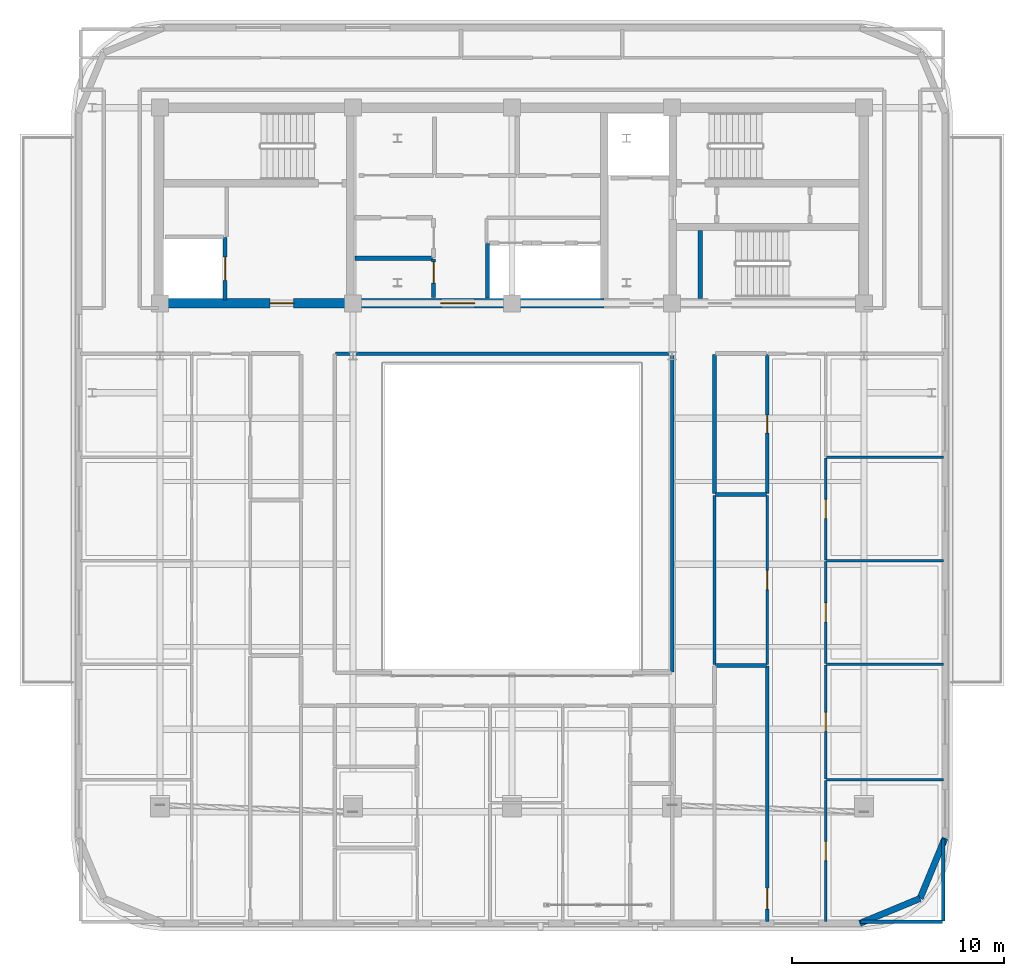
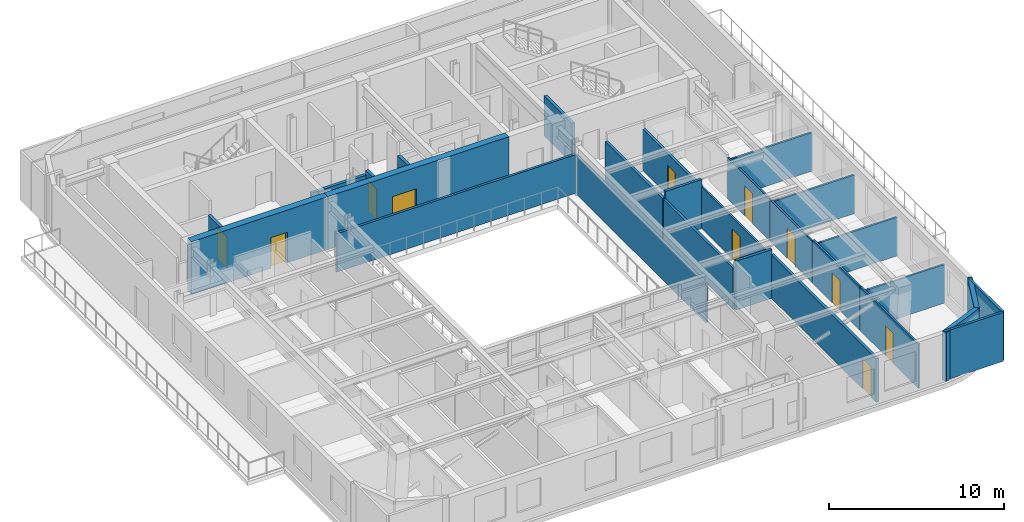
# One storey, part 8 of 14: 28 walls, 11 doors, 11 openings.
"""IFC4 building model written with IfcOpenShell, lengths in metres."""

from ifc_helpers import new_model, si_unit, direction, frame, frame_2d, origin, place, context, subcontext, project, spatial, rectangle, extrude, material, layer, layer_set, type_object, element, fill, save


model = new_model("IFC4")

# Units and contexts
model_context = context("Model", 3, precision=1e-05, world=origin(), true_north=direction((0.0, 1.0)))
body_context = subcontext(model_context, "Body", "Model", "MODEL_VIEW")
ifc_project = project(units=[si_unit("LENGTHUNIT", "METRE"), si_unit("AREAUNIT", "SQUARE_METRE"), si_unit("VOLUMEUNIT", "CUBIC_METRE"), si_unit("PLANEANGLEUNIT", "RADIAN"), si_unit("MASSUNIT", "GRAM", prefix="KILO")], contexts=[model_context])

# Site, building, storey
site_placement = place(None, origin())
site = spatial("IfcSite", under=ifc_project, at=site_placement, CompositionType="ELEMENT")
building_placement = place(site_placement, origin())
building = spatial("IfcBuilding", under=site, at=building_placement, Name="Zarnavel Station Tower", CompositionType="ELEMENT")
storey_placement = place(building_placement, frame((0.0, 0.0, 243.60009765625)))
storey = spatial("IfcBuildingStorey", under=building, at=storey_placement, Name="L66", CompositionType="ELEMENT", Elevation=243.60009765625)

# Wall, opening, door
ifc_material_1 = material(Name="Concrete C50/60", Category="concrete")
ifc_layer_1 = layer(ifc_material_1, 0.449951171875)
ifc_layer_set_1 = layer_set([ifc_layer_1], Name="CW_450")
wall_type_1 = type_object("IfcWallType", Name="CW_450", PredefinedType="SHEAR", material=ifc_layer_set_1)
wall_1_placement = place(storey_placement, frame((21.179931640625, 27.820068359375, 0.0), z_axis=(0.0, 0.0, 1.0), x_axis=(-1.0, 0.0, 0.0)))
wall_1 = element("IfcWall", 1, at=wall_1_placement, inside=storey, type_object=wall_type_1, Name="L66 Rear Core Shear Wall S-W", PredefinedType="SHEAR", context=body_context, shape_type="SweptSolid", body=[
    extrude(rectangle(XDim=9.030029296875, YDim=0.449951171875, at=frame_2d((4.51513671875, 0.0))), origin(), (0.0, 0.0, 1.0), 3.699951171875),
])
opening_1_placement = place(wall_1_placement, frame((2.679931640625, 0.0, 0.0)))
opening_1 = element("IfcOpeningElement", 2, at=opening_1_placement, cuts=wall_1, Name="Opening FD01", PredefinedType="OPENING", context=body_context, shape_type="SweptSolid", body=[
    extrude(rectangle(XDim=1.10009765625, YDim=2.14990234375, at=frame_2d((0.550048828125, 1.074951171875))), frame((0.0, 0.23486328125, 0.0), z_axis=(0.0, -1.0, 0.0), x_axis=(1.0, 0.0, 0.0)), (0.0, 0.0, 1.0), 0.469970703125),
])
ifc_material_2 = material(Name="Painted Galvanised Steel and Hardwood Leaf", Category="steel")
door_type_1 = type_object("IfcDoorType", Name="ID_STAIR_1100", OperationType="NOTDEFINED", PredefinedType="DOOR", material=ifc_material_2)
door_1_placement = place(opening_1_placement, origin())
door_1 = element("IfcDoor", 3, at=door_1_placement, inside=storey, type_object=door_type_1, Name="L66 West Firefighting Lobby Door", OperationType="SINGLE_SWING_RIGHT", OverallHeight=2.14990234375, OverallWidth=1.10009765625, PredefinedType="DOOR", context=body_context, shape_type="SweptSolid", body=[
    extrude(rectangle(XDim=1.10009765625, YDim=2.14990234375, at=frame_2d((0.550048828125, 1.074951171875))), frame((0.0, 0.02490234375, 0.0), z_axis=(0.0, -1.0, 0.0), x_axis=(1.0, 0.0, 0.0)), (0.0, 0.0, 1.0), 0.050048828125),
])
fill(opening_1, door_1)

wall_2_placement = place(storey_placement, frame((33.14990234375, 27.820068359375, 0.0), z_axis=(0.0, 0.0, 1.0), x_axis=(-1.0, 0.0, 0.0)))
wall_2 = element("IfcWall", 4, at=wall_2_placement, inside=storey, type_object=wall_type_1, Name="L66 Rear Core Shear Wall S-M", PredefinedType="SHEAR", context=body_context, shape_type="SweptSolid", body=[
    extrude(rectangle(XDim=11.969970703125, YDim=0.449951171875, at=frame_2d((5.98486328125, 0.0))), origin(), (0.0, 0.0, 1.0), 3.699951171875),
])
opening_2_placement = place(wall_2_placement, frame((6.10009765625, 0.0, 0.0)))
opening_2 = element("IfcOpeningElement", 5, at=opening_2_placement, cuts=wall_2, Name="Opening ID03", PredefinedType="OPENING", context=body_context, shape_type="SweptSolid", body=[
    extrude(rectangle(XDim=1.60009765625, YDim=2.199951171875, at=frame_2d((0.800048828125, 1.10009765625))), frame((0.0, 0.23486328125, 0.0), z_axis=(0.0, -1.0, 0.0), x_axis=(1.0, 0.0, 0.0)), (0.0, 0.0, 1.0), 0.469970703125),
])
ifc_material_3 = material(Name="Painted Galvanised Steel and Hardwood Leaf", Category="steel")
door_type_2 = type_object("IfcDoorType", Name="ID_PUBLIC_1600", OperationType="DOUBLE_DOOR_SINGLE_SWING", PredefinedType="DOOR", material=ifc_material_3)
door_2_placement = place(opening_2_placement, origin())
door_2 = element("IfcDoor", 6, at=door_2_placement, inside=storey, type_object=door_type_2, Name="L66 Passenger Lift Lobby Double Door", OperationType="SINGLE_SWING_LEFT", OverallHeight=2.199951171875, OverallWidth=1.60009765625, PredefinedType="DOOR", context=body_context, shape_type="SweptSolid", body=[
    extrude(rectangle(XDim=1.60009765625, YDim=2.199951171875, at=frame_2d((0.800048828125, 1.10009765625))), frame((0.0, 0.02490234375, 0.0), z_axis=(0.0, -1.0, 0.0), x_axis=(1.0, 0.0, 0.0)), (0.0, 0.0, 1.0), 0.050048828125),
])
fill(opening_2, door_2)

# Walls
ifc_material_4 = material(Name="Precast concrete C45/55 (Dark Basalt Finish)", Category="masonry")
ifc_layer_2 = layer(ifc_material_4, 0.300048828125)
ifc_layer_set_2 = layer_set([ifc_layer_2], Name="EW_BASALT_300")
wall_type_2 = type_object("IfcWallType", Name="EW_BASALT_300", PredefinedType="SOLIDWALL", material=ifc_layer_set_2)
wall_3_placement = place(storey_placement, frame((48.04248046875, -0.24267578125, 0.0), z_axis=(0.0, 0.0, 1.0), x_axis=(-0.92389884758, -0.382636798336, 0.0)))
element("IfcWall", 7, at=wall_3_placement, inside=storey, type_object=wall_type_2, Name="L66 Exterior Basalt Masonry Frame Wall 01", PredefinedType="SOLIDWALL", context=body_context, shape_type="SweptSolid", body=[
    extrude(rectangle(XDim=3.07666015625, YDim=0.300048828125, at=frame_2d((1.538330078125, 0.0))), origin(), (0.0, 0.0, 1.0), 3.419921875),
])
wall_4_placement = place(storey_placement, frame((49.219970703125, 2.60009765625, 0.0), z_axis=(0.0, 0.0, 1.0), x_axis=(-0.382676475685, -0.923882414032, 0.0)))
element("IfcWall", 8, at=wall_4_placement, inside=storey, type_object=wall_type_2, Name="L66 Exterior Basalt Masonry Frame Wall 02", PredefinedType="SOLIDWALL", context=body_context, shape_type="SweptSolid", body=[
    extrude(rectangle(XDim=3.076904296875, YDim=0.300048828125, at=frame_2d((1.53857421875, 0.0))), origin(), (0.0, 0.0, 1.0), 3.419921875),
])
ifc_material_5 = material(Name="Gypsum Twin-Stud Acoustic Fire Partition", Category="concrete")
ifc_layer_3 = layer(ifc_material_5, 0.159912109375)
ifc_layer_set_3 = layer_set([ifc_layer_3], Name="PT_DEMISE_160")
wall_type_3 = type_object("IfcWallType", Name="PT_DEMISE_160", PredefinedType="PARTITIONING", material=ifc_layer_set_3)
wall_5_placement = place(storey_placement, frame((38.35009765625, 10.787109375, 0.0), z_axis=(0.0, 0.0, 1.0), x_axis=(0.0, 1.0, 0.0)))
element("IfcWall", 9, at=wall_5_placement, inside=storey, type_object=wall_type_3, Name="L66 Partition COR-AE-UE1UT", PredefinedType="PARTITIONING", context=body_context, shape_type="SweptSolid", body=[
    extrude(rectangle(XDim=7.974853515625, YDim=0.159912109375, at=frame_2d((3.9873046875, 0.0))), origin(), (0.0, 0.0, 1.0), 2.89990234375),
])
wall_6_placement = place(storey_placement, frame((20.47998046875, 25.449951171875, 0.0), z_axis=(0.0, 0.0, 1.0), x_axis=(1.0, 0.0, 0.0)))
element("IfcWall", 10, at=wall_6_placement, inside=storey, type_object=wall_type_3, Name="L66 Enclosure Wall COR-S", PredefinedType="PARTITIONING", context=body_context, shape_type="SweptSolid", body=[
    extrude(rectangle(XDim=15.840087890625, YDim=0.159912109375, at=frame_2d((7.919921875, 0.0))), origin(), (0.0, 0.0, 1.0), 2.699951171875),
])
wall_7_placement = place(storey_placement, frame((36.35009765625, 10.429931640625, 0.0), z_axis=(0.0, 0.0, 1.0), x_axis=(0.0, 1.0, 0.0)))
element("IfcWall", 11, at=wall_7_placement, inside=storey, type_object=wall_type_3, Name="L66 Enclosure Wall COR-AE", PredefinedType="PARTITIONING", context=body_context, shape_type="SweptSolid", body=[
    extrude(rectangle(XDim=14.989990234375, YDim=0.159912109375, at=frame_2d((7.4951171875, 0.0))), origin(), (0.0, 0.0, 1.0), 2.699951171875),
])
for number, where, z_axis, x_axis, name in (
    (12, (45.22998046875, -1.340087890625, 0.0), (0.0, 0.0, 1.0), (1.0, 0.0, 0.0), "L66 Enclosure Wall UE1B1"),
    (13, (49.139892578125, -1.31005859375, 0.0), (0.0, 0.0, 1.0), (0.0, 1.0, 0.0), "L66 Enclosure Wall UE1B1"),
):
    element("IfcWall", number, at=place(storey_placement, frame(where, z_axis=z_axis, x_axis=x_axis)), inside=storey, type_object=wall_type_3, Name=name, PredefinedType="PARTITIONING", context=body_context, shape_type="SweptSolid", body=[
        extrude(rectangle(XDim=3.880126953125, YDim=0.159912109375, at=frame_2d((1.93994140625, 0.0))), origin(), (0.0, 0.0, 1.0), 3.419921875),
    ])

# Wall, opening, door
ifc_material_6 = material(Name="Gypsum Metal-Stud Interior Partition", Category="concrete")
ifc_layer_4 = layer(ifc_material_6, 0.1201171875)
ifc_layer_set_4 = layer_set([ifc_layer_4], Name="PT_ROOM_120")
wall_type_4 = type_object("IfcWallType", Name="PT_ROOM_120", PredefinedType="PARTITIONING", material=ifc_layer_set_4)
wall_8_placement = place(storey_placement, frame((40.83203125, 10.787109375, 0.0), z_axis=(0.0, 0.0, 1.0), x_axis=(0.0, 1.0, 0.0)))
wall_8 = element("IfcWall", 14, at=wall_8_placement, inside=storey, type_object=wall_type_4, Name="L66 Partition UE1LV-UE1UT", PredefinedType="PARTITIONING", context=body_context, shape_type="SweptSolid", body=[
    extrude(rectangle(XDim=7.974853515625, YDim=0.1201171875, at=frame_2d((3.9873046875, 0.0))), origin(), (0.0, 0.0, 1.0), 2.89990234375),
])
opening_3_placement = place(wall_8_placement, frame((3.53759765625, 0.0, 0.0)))
opening_3 = element("IfcOpeningElement", 15, at=opening_3_placement, cuts=wall_8, Name="Opening ID01", PredefinedType="OPENING", context=body_context, shape_type="SweptSolid", body=[
    extrude(rectangle(XDim=0.89990234375, YDim=2.10009765625, at=frame_2d((0.449951171875, 1.050048828125))), frame((0.0, 0.070068359375, 0.0), z_axis=(0.0, -1.0, 0.0), x_axis=(1.0, 0.0, 0.0)), (0.0, 0.0, 1.0), 0.14013671875),
])
ifc_material_7 = material(Name="Painted Galvanised Steel and Hardwood Leaf", Category="steel")
door_type_3 = type_object("IfcDoorType", Name="ID_ROOM_900", OperationType="NOTDEFINED", PredefinedType="DOOR", material=ifc_material_7)
door_3_placement = place(opening_3_placement, origin())
door_3 = element("IfcDoor", 16, at=door_3_placement, inside=storey, type_object=door_type_3, Name="L66 Door UE1LV-UE1UT", OperationType="SINGLE_SWING_RIGHT", OverallHeight=2.10009765625, OverallWidth=0.89990234375, PredefinedType="DOOR", context=body_context, shape_type="SweptSolid", body=[
    extrude(rectangle(XDim=0.89990234375, YDim=2.10009765625, at=frame_2d((0.449951171875, 1.050048828125))), frame((0.0, 0.02490234375, 0.0), z_axis=(0.0, -1.0, 0.0), x_axis=(1.0, 0.0, 0.0)), (0.0, 0.0, 1.0), 0.050048828125),
])
fill(opening_3, door_3)

wall_9_placement = place(storey_placement, frame((43.593994140625, -1.340087890625, 0.0), z_axis=(0.0, 0.0, 1.0), x_axis=(0.0, 1.0, 0.0)))
wall_9 = element("IfcWall", 17, at=wall_9_placement, inside=storey, type_object=wall_type_4, Name="L66 Partition UE1LV-UE1B1", PredefinedType="PARTITIONING", context=body_context, shape_type="SweptSolid", body=[
    extrude(rectangle(XDim=6.656982421875, YDim=0.1201171875, at=frame_2d((3.32861328125, 0.0))), origin(), (0.0, 0.0, 1.0), 3.079833984375),
])
opening_4_placement = place(wall_9_placement, frame((2.87841796875, 0.0, 0.0)))
opening_4 = element("IfcOpeningElement", 18, at=opening_4_placement, cuts=wall_9, Name="Opening ID01", PredefinedType="OPENING", context=body_context, shape_type="SweptSolid", body=[
    extrude(rectangle(XDim=0.89990234375, YDim=2.10009765625, at=frame_2d((0.449951171875, 1.050048828125))), frame((0.0, 0.070068359375, 0.0), z_axis=(0.0, -1.0, 0.0), x_axis=(1.0, 0.0, 0.0)), (0.0, 0.0, 1.0), 0.14013671875),
])
door_4_placement = place(opening_4_placement, origin())
door_4 = element("IfcDoor", 19, at=door_4_placement, inside=storey, type_object=door_type_3, Name="L66 Door UE1LV-UE1B1", OperationType="SINGLE_SWING_RIGHT", OverallHeight=2.10009765625, OverallWidth=0.89990234375, PredefinedType="DOOR", context=body_context, shape_type="SweptSolid", body=[
    extrude(rectangle(XDim=0.89990234375, YDim=2.10009765625, at=frame_2d((0.449951171875, 1.050048828125))), frame((0.0, 0.02490234375, 0.0), z_axis=(0.0, -1.0, 0.0), x_axis=(1.0, 0.0, 0.0)), (0.0, 0.0, 1.0), 0.050048828125),
])
fill(opening_4, door_4)

wall_10_placement = place(storey_placement, frame((43.593994140625, 5.39697265625, 0.0), z_axis=(0.0, 0.0, 1.0), x_axis=(0.0, 1.0, 0.0)))
wall_10 = element("IfcWall", 20, at=wall_10_placement, inside=storey, type_object=wall_type_4, Name="L66 Partition UE1LV-UE1B2", PredefinedType="PARTITIONING", context=body_context, shape_type="SweptSolid", body=[
    extrude(rectangle(XDim=5.369140625, YDim=0.1201171875, at=frame_2d((2.6845703125, 0.0))), origin(), (0.0, 0.0, 1.0), 3.0498046875),
])
opening_5_placement = place(wall_10_placement, frame((2.234619140625, 0.0, 0.0)))
opening_5 = element("IfcOpeningElement", 21, at=opening_5_placement, cuts=wall_10, Name="Opening ID01", PredefinedType="OPENING", context=body_context, shape_type="SweptSolid", body=[
    extrude(rectangle(XDim=0.89990234375, YDim=2.10009765625, at=frame_2d((0.449951171875, 1.050048828125))), frame((0.0, 0.070068359375, 0.0), z_axis=(0.0, -1.0, 0.0), x_axis=(1.0, 0.0, 0.0)), (0.0, 0.0, 1.0), 0.14013671875),
])
door_5_placement = place(opening_5_placement, origin())
door_5 = element("IfcDoor", 22, at=door_5_placement, inside=storey, type_object=door_type_3, Name="L66 Door UE1LV-UE1B2", OperationType="SINGLE_SWING_LEFT", OverallHeight=2.10009765625, OverallWidth=0.89990234375, PredefinedType="DOOR", context=body_context, shape_type="SweptSolid", body=[
    extrude(rectangle(XDim=0.89990234375, YDim=2.10009765625, at=frame_2d((0.449951171875, 1.050048828125))), frame((0.0, 0.02490234375, 0.0), z_axis=(0.0, -1.0, 0.0), x_axis=(1.0, 0.0, 0.0)), (0.0, 0.0, 1.0), 0.050048828125),
])
fill(opening_5, door_5)

wall_11_placement = place(storey_placement, frame((43.593994140625, 10.845947265625, 0.0), z_axis=(0.0, 0.0, 1.0), x_axis=(0.0, 1.0, 0.0)))
wall_11 = element("IfcWall", 23, at=wall_11_placement, inside=storey, type_object=wall_type_4, Name="L66 Partition UE1LV-UE1B3", PredefinedType="PARTITIONING", context=body_context, shape_type="SweptSolid", body=[
    extrude(rectangle(XDim=4.801025390625, YDim=0.1201171875, at=frame_2d((2.400390625, 0.0))), origin(), (0.0, 0.0, 1.0), 2.89990234375),
])
opening_6_placement = place(wall_11_placement, frame((1.950439453125, 0.0, 0.0)))
opening_6 = element("IfcOpeningElement", 24, at=opening_6_placement, cuts=wall_11, Name="Opening ID01", PredefinedType="OPENING", context=body_context, shape_type="SweptSolid", body=[
    extrude(rectangle(XDim=0.89990234375, YDim=2.10009765625, at=frame_2d((0.449951171875, 1.050048828125))), frame((0.0, 0.070068359375, 0.0), z_axis=(0.0, -1.0, 0.0), x_axis=(1.0, 0.0, 0.0)), (0.0, 0.0, 1.0), 0.14013671875),
])
door_6_placement = place(opening_6_placement, origin())
door_6 = element("IfcDoor", 25, at=door_6_placement, inside=storey, type_object=door_type_3, Name="L66 Door UE1LV-UE1B3", OperationType="SINGLE_SWING_RIGHT", OverallHeight=2.10009765625, OverallWidth=0.89990234375, PredefinedType="DOOR", context=body_context, shape_type="SweptSolid", body=[
    extrude(rectangle(XDim=0.89990234375, YDim=2.10009765625, at=frame_2d((0.449951171875, 1.050048828125))), frame((0.0, 0.02490234375, 0.0), z_axis=(0.0, -1.0, 0.0), x_axis=(1.0, 0.0, 0.0)), (0.0, 0.0, 1.0), 0.050048828125),
])
fill(opening_6, door_6)

wall_12_placement = place(storey_placement, frame((43.593994140625, 15.72705078125, 0.0), z_axis=(0.0, 0.0, 1.0), x_axis=(0.0, 1.0, 0.0)))
wall_12 = element("IfcWall", 26, at=wall_12_placement, inside=storey, type_object=wall_type_4, Name="L66 Partition UE1LV-UE1B4", PredefinedType="PARTITIONING", context=body_context, shape_type="SweptSolid", body=[
    extrude(rectangle(XDim=4.801025390625, YDim=0.1201171875, at=frame_2d((2.400390625, 0.0))), origin(), (0.0, 0.0, 1.0), 2.89990234375),
])
opening_7_placement = place(wall_12_placement, frame((1.950439453125, 0.0, 0.0)))
opening_7 = element("IfcOpeningElement", 27, at=opening_7_placement, cuts=wall_12, Name="Opening ID01", PredefinedType="OPENING", context=body_context, shape_type="SweptSolid", body=[
    extrude(rectangle(XDim=0.89990234375, YDim=2.10009765625, at=frame_2d((0.449951171875, 1.050048828125))), frame((0.0, 0.070068359375, 0.0), z_axis=(0.0, -1.0, 0.0), x_axis=(1.0, 0.0, 0.0)), (0.0, 0.0, 1.0), 0.14013671875),
])
door_7_placement = place(opening_7_placement, origin())
door_7 = element("IfcDoor", 28, at=door_7_placement, inside=storey, type_object=door_type_3, Name="L66 Door UE1LV-UE1B4", OperationType="SINGLE_SWING_LEFT", OverallHeight=2.10009765625, OverallWidth=0.89990234375, PredefinedType="DOOR", context=body_context, shape_type="SweptSolid", body=[
    extrude(rectangle(XDim=0.89990234375, YDim=2.10009765625, at=frame_2d((0.449951171875, 1.050048828125))), frame((0.0, 0.02490234375, 0.0), z_axis=(0.0, -1.0, 0.0), x_axis=(1.0, 0.0, 0.0)), (0.0, 0.0, 1.0), 0.050048828125),
])
fill(opening_7, door_7)

# Walls
for number, where, z_axis, x_axis, name in (
    (29, (43.634033203125, 5.35693359375, 0.0), (0.0, 0.0, 1.0), (1.0, 0.0, 0.0), "L66 Partition UE1B1-UE1B2"),
    (30, (43.634033203125, 10.805908203125, 0.0), (0.0, 0.0, 1.0), (1.0, 0.0, 0.0), "L66 Partition UE1B2-UE1B3"),
    (31, (43.634033203125, 15.68701171875, 0.0), (0.0, 0.0, 1.0), (1.0, 0.0, 0.0), "L66 Partition UE1B3-UE1B4"),
    (32, (43.634033203125, 20.568115234375, 0.0), (0.0, 0.0, 1.0), (1.0, 0.0, 0.0), "L66 Partition UE1B4-UE1B5"),
):
    element("IfcWall", number, at=place(storey_placement, frame(where, z_axis=z_axis, x_axis=x_axis)), inside=storey, type_object=wall_type_4, Name=name, PredefinedType="PARTITIONING", context=body_context, shape_type="SweptSolid", body=[
        extrude(rectangle(XDim=5.505859375, YDim=0.1201171875, at=frame_2d((2.7529296875, 0.0))), origin(), (0.0, 0.0, 1.0), 2.699951171875),
    ])

# Wall, opening, door
ifc_material_8 = material(Name="Precast concrete C45/55 (Fire Shaft Blockwork)", Category="masonry")
ifc_layer_5 = layer(ifc_material_8, 0.199951171875)
ifc_layer_set_5 = layer_set([ifc_layer_5], Name="PT_SHAFT_200")
wall_type_5 = type_object("IfcWallType", Name="PT_SHAFT_200", PredefinedType="PARTITIONING", material=ifc_layer_set_5)
wall_13_placement = place(storey_placement, frame((15.27001953125, 27.969970703125, 0.0), z_axis=(0.0, 0.0, 1.0), x_axis=(0.0, 1.0, 0.0)))
wall_13 = element("IfcWall", 33, at=wall_13_placement, inside=storey, type_object=wall_type_5, Name="L66 Lift FFL-01 Shaft Front Wall", PredefinedType="PARTITIONING", context=body_context, shape_type="SweptSolid", body=[
    extrude(rectangle(XDim=2.9599609375, YDim=0.199951171875, at=frame_2d((1.47998046875, 0.0))), origin(), (0.0, 0.0, 1.0), 2.489990234375),
])
opening_8_placement = place(wall_13_placement, frame((0.929931640625, 0.0, 0.0)))
opening_8 = element("IfcOpeningElement", 34, at=opening_8_placement, cuts=wall_13, Name="Opening LD01", PredefinedType="OPENING", context=body_context, shape_type="SweptSolid", body=[
    extrude(rectangle(XDim=1.10009765625, YDim=2.14990234375, at=frame_2d((0.550048828125, 1.074951171875))), frame((0.0, 0.10986328125, 0.0), z_axis=(0.0, -1.0, 0.0), x_axis=(1.0, 0.0, 0.0)), (0.0, 0.0, 1.0), 0.219970703125),
])
ifc_material_9 = material(Name="Painted Galvanised Steel and Hardwood Leaf", Category="steel")
door_type_4 = type_object("IfcDoorType", Name="LD_FF_1100", OperationType="DOUBLE_DOOR_SLIDING", PredefinedType="DOOR", material=ifc_material_9)
door_8_placement = place(opening_8_placement, origin())
door_8 = element("IfcDoor", 35, at=door_8_placement, inside=storey, type_object=door_type_4, Name="L66 Lift FFL-01 Sliding Landing Door", OperationType="DOUBLE_DOOR_SLIDING", OverallHeight=2.14990234375, OverallWidth=1.10009765625, PredefinedType="DOOR", context=body_context, shape_type="SweptSolid", body=[
    extrude(rectangle(XDim=1.10009765625, YDim=2.14990234375, at=frame_2d((0.550048828125, 1.074951171875))), frame((0.0, 0.02490234375, 0.0), z_axis=(0.0, -1.0, 0.0), x_axis=(1.0, 0.0, 0.0)), (0.0, 0.0, 1.0), 0.050048828125),
])
fill(opening_8, door_8)

# Walls
wall_14_placement = place(storey_placement, frame((27.64990234375, 28.070068359375, 0.0), z_axis=(0.0, 0.0, 1.0), x_axis=(0.0, 1.0, 0.0)))
element("IfcWall", 36, at=wall_14_placement, inside=storey, type_object=wall_type_5, Name="L66 High-Rise Lift Bank West Shaft Wall", PredefinedType="PARTITIONING", context=body_context, shape_type="SweptSolid", body=[
    extrude(rectangle(XDim=2.579833984375, YDim=0.199951171875, at=frame_2d((1.2900390625, 0.0))), origin(), (0.0, 0.0, 1.0), 2.489990234375),
])
wall_15_placement = place(storey_placement, frame((37.679931640625, 28.044921875, 0.0), z_axis=(0.0, 0.0, 1.0), x_axis=(0.0, 1.0, 0.0)))
element("IfcWall", 37, at=wall_15_placement, inside=storey, type_object=wall_type_5, Name="L66 Stair ST3 West Shaft Wall", PredefinedType="PARTITIONING", context=body_context, shape_type="SweptSolid", body=[
    extrude(rectangle(XDim=3.205078125, YDim=0.199951171875, at=frame_2d((1.6025390625, 0.0))), origin(), (0.0, 0.0, 1.0), 2.7998046875),
])

# Wall, opening, door
wall_16_placement = place(storey_placement, frame((25.10009765625, 28.090087890625, 0.0), z_axis=(0.0, 0.0, 1.0), x_axis=(0.0, 1.0, 0.0)))
wall_16 = element("IfcWall", 38, at=wall_16_placement, inside=storey, type_object=wall_type_5, Name="L66 Partition LLOBS-CS1", PredefinedType="PARTITIONING", context=body_context, shape_type="SweptSolid", body=[
    extrude(rectangle(XDim=1.81982421875, YDim=0.199951171875, at=frame_2d((0.909912109375, 0.0))), origin(), (0.0, 0.0, 1.0), 2.7998046875),
])
opening_9_placement = place(wall_16_placement, frame((0.679931640625, 0.0, 0.0)))
opening_9 = element("IfcOpeningElement", 39, at=opening_9_placement, cuts=wall_16, Name="Opening FD02", PredefinedType="OPENING", context=body_context, shape_type="SweptSolid", body=[
    extrude(rectangle(XDim=1.0, YDim=2.14990234375, at=frame_2d((0.5, 1.074951171875))), frame((0.0, 0.10986328125, 0.0), z_axis=(0.0, -1.0, 0.0), x_axis=(1.0, 0.0, 0.0)), (0.0, 0.0, 1.0), 0.219970703125),
])
ifc_material_10 = material(Name="Painted Galvanised Steel and Hardwood Leaf", Category="steel")
door_type_5 = type_object("IfcDoorType", Name="ID_ENTRY_1000", OperationType="NOTDEFINED", PredefinedType="DOOR", material=ifc_material_10)
door_9_placement = place(opening_9_placement, origin())
door_9 = element("IfcDoor", 40, at=door_9_placement, inside=storey, type_object=door_type_5, Name="L66 Door LLOBS-CS1", OperationType="SINGLE_SWING_LEFT", OverallHeight=2.14990234375, OverallWidth=1.0, PredefinedType="DOOR", context=body_context, shape_type="SweptSolid", body=[
    extrude(rectangle(XDim=1.0, YDim=2.14990234375, at=frame_2d((0.5, 1.074951171875))), frame((0.0, 0.02490234375, 0.0), z_axis=(0.0, -1.0, 0.0), x_axis=(1.0, 0.0, 0.0)), (0.0, 0.0, 1.0), 0.050048828125),
])
fill(opening_9, door_9)

# Walls
wall_17_placement = place(storey_placement, frame((21.39990234375, 29.949951171875, 0.0), z_axis=(0.0, 0.0, 1.0), x_axis=(1.0, 0.0, 0.0)))
element("IfcWall", 41, at=wall_17_placement, inside=storey, type_object=wall_type_5, Name="L66 Partition CS1-CS2", PredefinedType="PARTITIONING", context=body_context, shape_type="SweptSolid", body=[
    extrude(rectangle(XDim=3.66015625, YDim=0.199951171875, at=frame_2d((1.830078125, 0.0))), origin(), (0.0, 0.0, 1.0), 2.489990234375),
])
ifc_material_11 = material(Name="Moisture-Resistant Plumbing Chase Wall", Category="concrete")
ifc_layer_6 = layer(ifc_material_11, 0.179931640625)
ifc_layer_set_6 = layer_set([ifc_layer_6], Name="PW_PLUMB_180")
wall_type_6 = type_object("IfcWallType", Name="PW_PLUMB_180", PredefinedType="PLUMBINGWALL", material=ifc_layer_set_6)
wall_18_placement = place(storey_placement, frame((38.35009765625, 18.842041015625, 0.0), z_axis=(0.0, 0.0, 1.0), x_axis=(0.0, 1.0, 0.0)))
element("IfcWall", 42, at=wall_18_placement, inside=storey, type_object=wall_type_6, Name="L66 Partition COR-AE-UE1BA", PredefinedType="PLUMBINGWALL", context=body_context, shape_type="SweptSolid", body=[
    extrude(rectangle(XDim=6.56787109375, YDim=0.179931640625, at=frame_2d((3.283935546875, 0.0))), origin(), (0.0, 0.0, 1.0), 2.89990234375),
])

# Wall, opening, door
wall_19_placement = place(storey_placement, frame((40.83203125, -1.340087890625, 0.0), z_axis=(0.0, 0.0, 1.0), x_axis=(0.0, 1.0, 0.0)))
wall_19 = element("IfcWall", 43, at=wall_19_placement, inside=storey, type_object=wall_type_6, Name="L66 Partition UE1LV-UE1KT", PredefinedType="PLUMBINGWALL", context=body_context, shape_type="SweptSolid", body=[
    extrude(rectangle(XDim=12.047119140625, YDim=0.179931640625, at=frame_2d((6.0234375, 0.0))), origin(), (0.0, 0.0, 1.0), 3.0498046875),
])
opening_10_placement = place(wall_19_placement, frame((0.588623046875, 0.0, 0.0)))
opening_10 = element("IfcOpeningElement", 44, at=opening_10_placement, cuts=wall_19, Name="Opening FD02", PredefinedType="OPENING", context=body_context, shape_type="SweptSolid", body=[
    extrude(rectangle(XDim=1.0, YDim=2.14990234375, at=frame_2d((0.5, 1.074951171875))), frame((0.0, 0.099853515625, 0.0), z_axis=(0.0, -1.0, 0.0), x_axis=(1.0, 0.0, 0.0)), (0.0, 0.0, 1.0), 0.199951171875),
])
door_10_placement = place(opening_10_placement, origin())
door_10 = element("IfcDoor", 45, at=door_10_placement, inside=storey, type_object=door_type_5, Name="L66 Door UE1LV-UE1KT", OperationType="SINGLE_SWING_LEFT", OverallHeight=2.14990234375, OverallWidth=1.0, PredefinedType="DOOR", context=body_context, shape_type="SweptSolid", body=[
    extrude(rectangle(XDim=1.0, YDim=2.14990234375, at=frame_2d((0.5, 1.074951171875))), frame((0.0, 0.02490234375, 0.0), z_axis=(0.0, -1.0, 0.0), x_axis=(1.0, 0.0, 0.0)), (0.0, 0.0, 1.0), 0.050048828125),
])
fill(opening_10, door_10)

wall_20_placement = place(storey_placement, frame((40.83203125, 18.842041015625, 0.0), z_axis=(0.0, 0.0, 1.0), x_axis=(0.0, 1.0, 0.0)))
wall_20 = element("IfcWall", 46, at=wall_20_placement, inside=storey, type_object=wall_type_6, Name="L66 Partition UE1LV-UE1BA", PredefinedType="PLUMBINGWALL", context=body_context, shape_type="SweptSolid", body=[
    extrude(rectangle(XDim=6.56787109375, YDim=0.179931640625, at=frame_2d((3.283935546875, 0.0))), origin(), (0.0, 0.0, 1.0), 2.89990234375),
])
opening_11_placement = place(wall_20_placement, frame((2.85888671875, 0.0, 0.0)))
opening_11 = element("IfcOpeningElement", 47, at=opening_11_placement, cuts=wall_20, Name="Opening ID02", PredefinedType="OPENING", context=body_context, shape_type="SweptSolid", body=[
    extrude(rectangle(XDim=0.85009765625, YDim=2.10009765625, at=frame_2d((0.425048828125, 1.050048828125))), frame((0.0, 0.099853515625, 0.0), z_axis=(0.0, -1.0, 0.0), x_axis=(1.0, 0.0, 0.0)), (0.0, 0.0, 1.0), 0.199951171875),
])
ifc_material_12 = material(Name="Painted Galvanised Steel and Hardwood Leaf", Category="steel")
door_type_6 = type_object("IfcDoorType", Name="ID_BATH_850", OperationType="NOTDEFINED", PredefinedType="DOOR", material=ifc_material_12)
door_11_placement = place(opening_11_placement, origin())
door_11 = element("IfcDoor", 48, at=door_11_placement, inside=storey, type_object=door_type_6, Name="L66 Door UE1LV-UE1BA", OperationType="SINGLE_SWING_LEFT", OverallHeight=2.10009765625, OverallWidth=0.85009765625, PredefinedType="DOOR", context=body_context, shape_type="SweptSolid", body=[
    extrude(rectangle(XDim=0.85009765625, YDim=2.10009765625, at=frame_2d((0.425048828125, 1.050048828125))), frame((0.0, 0.02490234375, 0.0), z_axis=(0.0, -1.0, 0.0), x_axis=(1.0, 0.0, 0.0)), (0.0, 0.0, 1.0), 0.050048828125),
])
fill(opening_11, door_11)

# Walls
for number, where, z_axis, x_axis, name in (
    (49, (38.389892578125, 10.7470703125, 0.0), (0.0, 0.0, 1.0), (1.0, 0.0, 0.0), "L66 Partition UE1KT-UE1UT"),
    (50, (38.389892578125, 18.802001953125, 0.0), (0.0, 0.0, 1.0), (1.0, 0.0, 0.0), "L66 Partition UE1UT-UE1BA"),
):
    element("IfcWall", number, at=place(storey_placement, frame(where, z_axis=z_axis, x_axis=x_axis)), inside=storey, type_object=wall_type_6, Name=name, PredefinedType="PLUMBINGWALL", context=body_context, shape_type="SweptSolid", body=[
        extrude(rectangle(XDim=2.402099609375, YDim=0.179931640625, at=frame_2d((1.201171875, 0.0))), origin(), (0.0, 0.0, 1.0), 3.419921875),
    ])

save(model, "model.ifc")
